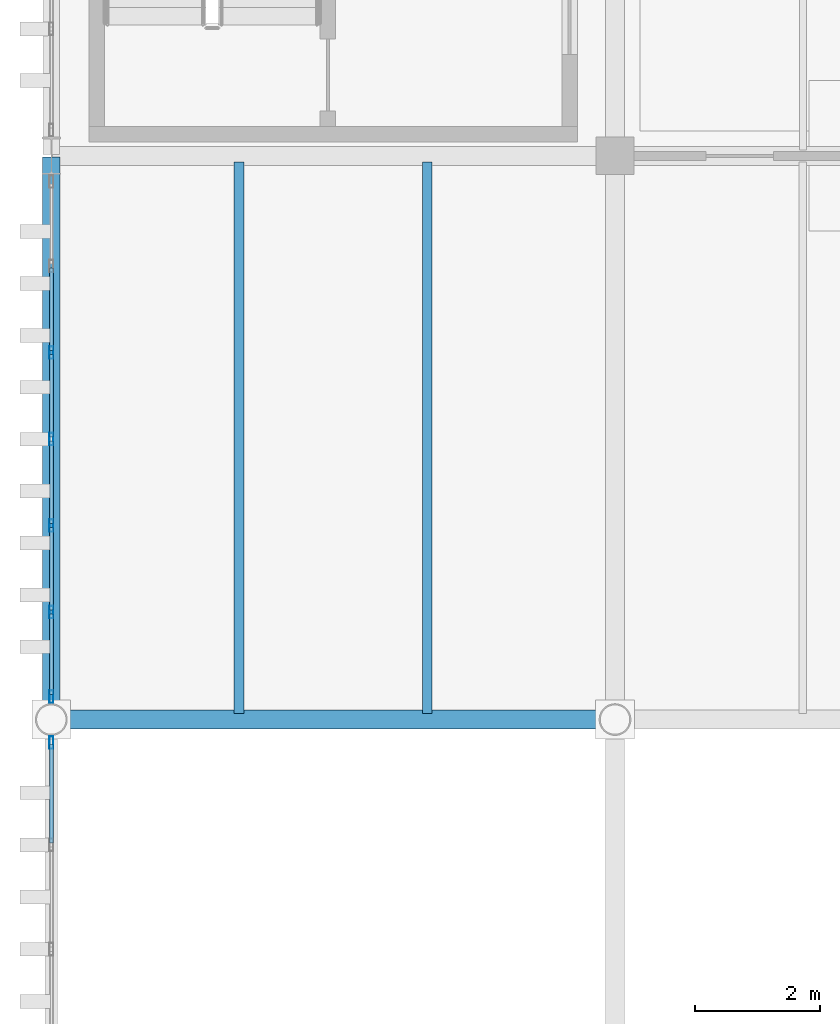
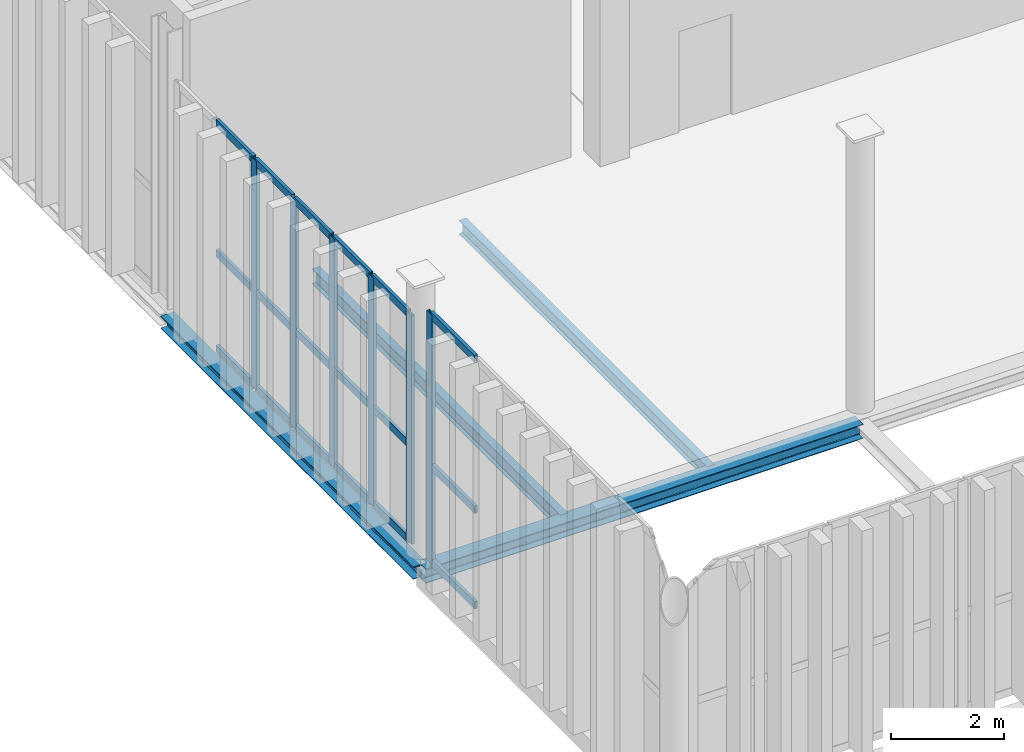
# One storey, part 28 of 211: 24 members, 4 beams, 2 elements without a shape of their own.
"""IFC4 building model written with IfcOpenShell, lengths in metres."""

from ifc_helpers import new_model, si_unit, direction, frame, origin, origin_2d, place, context, subcontext, project, spatial, hollow_rectangle, i_section, extrude, material, layer, layer_set, material_profile, profile_set, type_object, element, aggregate, save


model = new_model("IFC4")

# Units and contexts
model_context = context("Model", 3, precision=1e-05, world=origin(), true_north=direction((0.0, 1.0)))
body_context = subcontext(model_context, "Body", "Model", "MODEL_VIEW")
ifc_project = project(units=[si_unit("LENGTHUNIT", "METRE"), si_unit("AREAUNIT", "SQUARE_METRE"), si_unit("VOLUMEUNIT", "CUBIC_METRE"), si_unit("PLANEANGLEUNIT", "RADIAN"), si_unit("MASSUNIT", "GRAM", prefix="KILO")], contexts=[model_context])

# Site, building, storey
site_placement = place(None, origin())
site = spatial("IfcSite", under=ifc_project, at=site_placement, CompositionType="ELEMENT")
building_placement = place(site_placement, origin())
building = spatial("IfcBuilding", under=site, at=building_placement, Name="Barlavento Convention Centre", CompositionType="ELEMENT")
storey_placement = place(building_placement, frame((0.0, 0.0, 6.0)))
storey = spatial("IfcBuildingStorey", under=building, at=storey_placement, Name="L01", CompositionType="ELEMENT", Elevation=6.0)

# Curtain wall, members
ifc_material_1 = material(Name="Powder-coated aluminium and Low-E glass", Category="aluminium")
ifc_layer = layer(ifc_material_1, 0.18505859375)
ifc_layer_set = layer_set([ifc_layer], Name="ARC-CW-CONG-L01")
curtain_wall_type = type_object("IfcCurtainWallType", Name="ARC-CW-CONG-L01", PredefinedType="NOTDEFINED", material=ifc_layer_set)
curtain_wall_1_placement = place(storey_placement, origin())
curtain_wall_1 = element("IfcCurtainWall", 1, at=curtain_wall_1_placement, inside=storey, type_object=curtain_wall_type, Name="L01 unitised curtain wall CW01", PredefinedType="NOTDEFINED")
ifc_material_2 = material(Name="Powder-coated aluminium", Category="aluminium")
ifc_material_profile_1 = material_profile(ifc_material_2, hollow_rectangle(XDim=0.06494140625, YDim=0.199951171875, WallThickness=0.0048828125, at=origin_2d()), Name="AL-MULL 65x200x5")
ifc_profile_set_1 = profile_set([ifc_material_profile_1], Name="Powder-coated aluminium")
member_type_1 = type_object("IfcMemberType", Name="ARC-CWM-65X200", PredefinedType="MULLION", material=ifc_profile_set_1)
member_1_placement = place(storey_placement, frame((0.0, 9.366455078125, 0.0), z_axis=(0.0, 0.0, 1.0), x_axis=(-1.0, 0.0, 0.0)))
member_1 = element("IfcMember", 2, at=member_1_placement, type_object=member_type_1, Name="CW01 mullion 1", PredefinedType="MULLION", context=body_context, shape_type="SweptSolid", body=[
    extrude(hollow_rectangle(XDim=0.06494140625, YDim=0.199951171875, WallThickness=0.0048828125, at=origin_2d()), origin(), (0.0, 0.0, 1.0), 4.949951171875),
])
member_2_placement = place(storey_placement, frame((0.0, 10.715087890625, 0.0), z_axis=(0.0, 0.0, 1.0), x_axis=(-1.0, 0.0, 0.0)))
member_2 = element("IfcMember", 3, at=member_2_placement, type_object=member_type_1, Name="CW01 mullion 2", PredefinedType="MULLION", context=body_context, shape_type="SweptSolid", body=[
    extrude(hollow_rectangle(XDim=0.06494140625, YDim=0.199951171875, WallThickness=0.0048828125, at=origin_2d()), origin(), (0.0, 0.0, 1.0), 4.949951171875),
])
member_3_placement = place(storey_placement, frame((0.0, 12.095947265625, 0.0), z_axis=(0.0, 0.0, 1.0), x_axis=(-1.0, 0.0, 0.0)))
member_3 = element("IfcMember", 4, at=member_3_placement, type_object=member_type_1, Name="CW01 mullion 3", PredefinedType="MULLION", context=body_context, shape_type="SweptSolid", body=[
    extrude(hollow_rectangle(XDim=0.06494140625, YDim=0.199951171875, WallThickness=0.0048828125, at=origin_2d()), origin(), (0.0, 0.0, 1.0), 4.949951171875),
])
member_4_placement = place(storey_placement, frame((0.0, 13.47705078125, 0.0), z_axis=(0.0, 0.0, 1.0), x_axis=(-1.0, 0.0, 0.0)))
member_4 = element("IfcMember", 5, at=member_4_placement, type_object=member_type_1, Name="CW01 mullion 4", PredefinedType="MULLION", context=body_context, shape_type="SweptSolid", body=[
    extrude(hollow_rectangle(XDim=0.06494140625, YDim=0.199951171875, WallThickness=0.0048828125, at=origin_2d()), origin(), (0.0, 0.0, 1.0), 4.949951171875),
])
member_5_placement = place(storey_placement, frame((0.0, 14.85791015625, 0.0), z_axis=(0.0, 0.0, 1.0), x_axis=(-1.0, 0.0, 0.0)))
member_5 = element("IfcMember", 6, at=member_5_placement, type_object=member_type_1, Name="CW01 mullion 5", PredefinedType="MULLION", context=body_context, shape_type="SweptSolid", body=[
    extrude(hollow_rectangle(XDim=0.06494140625, YDim=0.199951171875, WallThickness=0.0048828125, at=origin_2d()), origin(), (0.0, 0.0, 1.0), 4.949951171875),
])

# Curtain wall, member
curtain_wall_2_placement = place(storey_placement, origin())
curtain_wall_2 = element("IfcCurtainWall", 7, at=curtain_wall_2_placement, inside=storey, type_object=curtain_wall_type, Name="L01 unitised curtain wall CW01", PredefinedType="NOTDEFINED")
member_6_placement = place(storey_placement, frame((0.0, 8.633544921875, 0.0), z_axis=(0.0, 0.0, 1.0), x_axis=(-1.0, 0.0, 0.0)))
member_6 = element("IfcMember", 8, at=member_6_placement, type_object=member_type_1, Name="CW01 mullion 6", PredefinedType="MULLION", context=body_context, shape_type="SweptSolid", body=[
    extrude(hollow_rectangle(XDim=0.06494140625, YDim=0.199951171875, WallThickness=0.0048828125, at=origin_2d()), origin(), (0.0, 0.0, 1.0), 5.39990234375),
])

# Member
ifc_material_profile_2 = material_profile(ifc_material_2, hollow_rectangle(XDim=0.06494140625, YDim=0.159912109375, WallThickness=0.0048828125, at=origin_2d()), Name="AL-TRAN 65x160x5")
ifc_profile_set_2 = profile_set([ifc_material_profile_2], Name="Powder-coated aluminium")
member_type_2 = type_object("IfcMemberType", Name="ARC-CWT-65X160", PredefinedType="USERDEFINED", material=ifc_profile_set_2)
member_7_placement = place(storey_placement, frame((0.0, 9.39892578125, 0.032470703125), z_axis=(0.0, 1.0, 0.0), x_axis=(-1.0, 0.0, 0.0)))
member_7 = element("IfcMember", 9, at=member_7_placement, type_object=member_type_2, Name="CW01 transom 1.1", ObjectType="TRANSOM", PredefinedType="USERDEFINED", context=body_context, shape_type="SweptSolid", body=[
    extrude(hollow_rectangle(XDim=0.06494140625, YDim=0.159912109375, WallThickness=0.0048828125, at=origin_2d()), origin(), (0.0, 0.0, 1.0), 1.28369140625),
])

member_8_placement = place(storey_placement, frame((0.0, 9.39892578125, 2.10009765625), z_axis=(0.0, 1.0, 0.0), x_axis=(-1.0, 0.0, 0.0)))
member_8 = element("IfcMember", 10, at=member_8_placement, type_object=member_type_2, Name="CW01 transom 1.2", ObjectType="TRANSOM", PredefinedType="USERDEFINED", context=body_context, shape_type="SweptSolid", body=[
    extrude(hollow_rectangle(XDim=0.06494140625, YDim=0.159912109375, WallThickness=0.0048828125, at=origin_2d()), origin(), (0.0, 0.0, 1.0), 1.28369140625),
])

member_9_placement = place(storey_placement, frame((0.0, 9.39892578125, 4.91748046875), z_axis=(0.0, 1.0, 0.0), x_axis=(-1.0, 0.0, 0.0)))
member_9 = element("IfcMember", 11, at=member_9_placement, type_object=member_type_2, Name="CW01 transom 1.3", ObjectType="TRANSOM", PredefinedType="USERDEFINED", context=body_context, shape_type="SweptSolid", body=[
    extrude(hollow_rectangle(XDim=0.06494140625, YDim=0.159912109375, WallThickness=0.0048828125, at=origin_2d()), origin(), (0.0, 0.0, 1.0), 1.28369140625),
])

member_10_placement = place(storey_placement, frame((0.0, 10.74755859375, 0.032470703125), z_axis=(0.0, 1.0, 0.0), x_axis=(-1.0, 0.0, 0.0)))
member_10 = element("IfcMember", 12, at=member_10_placement, type_object=member_type_2, Name="CW01 transom 2.1", ObjectType="TRANSOM", PredefinedType="USERDEFINED", context=body_context, shape_type="SweptSolid", body=[
    extrude(hollow_rectangle(XDim=0.06494140625, YDim=0.159912109375, WallThickness=0.0048828125, at=origin_2d()), origin(), (0.0, 0.0, 1.0), 1.31591796875),
])

member_11_placement = place(storey_placement, frame((0.0, 10.74755859375, 2.10009765625), z_axis=(0.0, 1.0, 0.0), x_axis=(-1.0, 0.0, 0.0)))
member_11 = element("IfcMember", 13, at=member_11_placement, type_object=member_type_2, Name="CW01 transom 2.2", ObjectType="TRANSOM", PredefinedType="USERDEFINED", context=body_context, shape_type="SweptSolid", body=[
    extrude(hollow_rectangle(XDim=0.06494140625, YDim=0.159912109375, WallThickness=0.0048828125, at=origin_2d()), origin(), (0.0, 0.0, 1.0), 1.31591796875),
])

member_12_placement = place(storey_placement, frame((0.0, 10.74755859375, 4.91748046875), z_axis=(0.0, 1.0, 0.0), x_axis=(-1.0, 0.0, 0.0)))
member_12 = element("IfcMember", 14, at=member_12_placement, type_object=member_type_2, Name="CW01 transom 2.3", ObjectType="TRANSOM", PredefinedType="USERDEFINED", context=body_context, shape_type="SweptSolid", body=[
    extrude(hollow_rectangle(XDim=0.06494140625, YDim=0.159912109375, WallThickness=0.0048828125, at=origin_2d()), origin(), (0.0, 0.0, 1.0), 1.31591796875),
])

member_13_placement = place(storey_placement, frame((0.0, 12.12841796875, 0.032470703125), z_axis=(0.0, 1.0, 0.0), x_axis=(-1.0, 0.0, 0.0)))
member_13 = element("IfcMember", 15, at=member_13_placement, type_object=member_type_2, Name="CW01 transom 3.1", ObjectType="TRANSOM", PredefinedType="USERDEFINED", context=body_context, shape_type="SweptSolid", body=[
    extrude(hollow_rectangle(XDim=0.06494140625, YDim=0.159912109375, WallThickness=0.0048828125, at=origin_2d()), origin(), (0.0, 0.0, 1.0), 1.316162109375),
])

member_14_placement = place(storey_placement, frame((0.0, 12.12841796875, 2.10009765625), z_axis=(0.0, 1.0, 0.0), x_axis=(-1.0, 0.0, 0.0)))
member_14 = element("IfcMember", 16, at=member_14_placement, type_object=member_type_2, Name="CW01 transom 3.2", ObjectType="TRANSOM", PredefinedType="USERDEFINED", context=body_context, shape_type="SweptSolid", body=[
    extrude(hollow_rectangle(XDim=0.06494140625, YDim=0.159912109375, WallThickness=0.0048828125, at=origin_2d()), origin(), (0.0, 0.0, 1.0), 1.316162109375),
])

member_15_placement = place(storey_placement, frame((0.0, 12.12841796875, 4.91748046875), z_axis=(0.0, 1.0, 0.0), x_axis=(-1.0, 0.0, 0.0)))
member_15 = element("IfcMember", 17, at=member_15_placement, type_object=member_type_2, Name="CW01 transom 3.3", ObjectType="TRANSOM", PredefinedType="USERDEFINED", context=body_context, shape_type="SweptSolid", body=[
    extrude(hollow_rectangle(XDim=0.06494140625, YDim=0.159912109375, WallThickness=0.0048828125, at=origin_2d()), origin(), (0.0, 0.0, 1.0), 1.316162109375),
])

member_16_placement = place(storey_placement, frame((0.0, 13.509521484375, 0.032470703125), z_axis=(0.0, 1.0, 0.0), x_axis=(-1.0, 0.0, 0.0)))
member_16 = element("IfcMember", 18, at=member_16_placement, type_object=member_type_2, Name="CW01 transom 4.1", ObjectType="TRANSOM", PredefinedType="USERDEFINED", context=body_context, shape_type="SweptSolid", body=[
    extrude(hollow_rectangle(XDim=0.06494140625, YDim=0.159912109375, WallThickness=0.0048828125, at=origin_2d()), origin(), (0.0, 0.0, 1.0), 1.31591796875),
])

member_17_placement = place(storey_placement, frame((0.0, 13.509521484375, 2.10009765625), z_axis=(0.0, 1.0, 0.0), x_axis=(-1.0, 0.0, 0.0)))
member_17 = element("IfcMember", 19, at=member_17_placement, type_object=member_type_2, Name="CW01 transom 4.2", ObjectType="TRANSOM", PredefinedType="USERDEFINED", context=body_context, shape_type="SweptSolid", body=[
    extrude(hollow_rectangle(XDim=0.06494140625, YDim=0.159912109375, WallThickness=0.0048828125, at=origin_2d()), origin(), (0.0, 0.0, 1.0), 1.31591796875),
])

member_18_placement = place(storey_placement, frame((0.0, 13.509521484375, 4.91748046875), z_axis=(0.0, 1.0, 0.0), x_axis=(-1.0, 0.0, 0.0)))
member_18 = element("IfcMember", 20, at=member_18_placement, type_object=member_type_2, Name="CW01 transom 4.3", ObjectType="TRANSOM", PredefinedType="USERDEFINED", context=body_context, shape_type="SweptSolid", body=[
    extrude(hollow_rectangle(XDim=0.06494140625, YDim=0.159912109375, WallThickness=0.0048828125, at=origin_2d()), origin(), (0.0, 0.0, 1.0), 1.31591796875),
])

member_19_placement = place(storey_placement, frame((0.0, 14.890380859375, 0.032470703125), z_axis=(0.0, 1.0, 0.0), x_axis=(-1.0, 0.0, 0.0)))
member_19 = element("IfcMember", 21, at=member_19_placement, type_object=member_type_2, Name="CW01 transom 5.1", ObjectType="TRANSOM", PredefinedType="USERDEFINED", context=body_context, shape_type="SweptSolid", body=[
    extrude(hollow_rectangle(XDim=0.06494140625, YDim=0.159912109375, WallThickness=0.0048828125, at=origin_2d()), origin(), (0.0, 0.0, 1.0), 1.316162109375),
])

member_20_placement = place(storey_placement, frame((0.0, 14.890380859375, 2.10009765625), z_axis=(0.0, 1.0, 0.0), x_axis=(-1.0, 0.0, 0.0)))
member_20 = element("IfcMember", 22, at=member_20_placement, type_object=member_type_2, Name="CW01 transom 5.2", ObjectType="TRANSOM", PredefinedType="USERDEFINED", context=body_context, shape_type="SweptSolid", body=[
    extrude(hollow_rectangle(XDim=0.06494140625, YDim=0.159912109375, WallThickness=0.0048828125, at=origin_2d()), origin(), (0.0, 0.0, 1.0), 1.316162109375),
])

member_21_placement = place(storey_placement, frame((0.0, 14.890380859375, 4.91748046875), z_axis=(0.0, 1.0, 0.0), x_axis=(-1.0, 0.0, 0.0)))
member_21 = element("IfcMember", 23, at=member_21_placement, type_object=member_type_2, Name="CW01 transom 5.3", ObjectType="TRANSOM", PredefinedType="USERDEFINED", context=body_context, shape_type="SweptSolid", body=[
    extrude(hollow_rectangle(XDim=0.06494140625, YDim=0.159912109375, WallThickness=0.0048828125, at=origin_2d()), origin(), (0.0, 0.0, 1.0), 1.316162109375),
])

aggregate(curtain_wall_1, [member_1, member_2, member_3, member_4, member_5, member_7, member_8, member_9, member_10, member_11, member_12, member_13, member_14, member_15, member_16, member_17, member_18, member_19, member_20, member_21])

member_22_placement = place(storey_placement, frame((0.0, 7.031982421875, 0.032470703125), z_axis=(0.0, 1.0, 0.0), x_axis=(-1.0, 0.0, 0.0)))
member_22 = element("IfcMember", 24, at=member_22_placement, type_object=member_type_2, Name="CW01 transom 5.1", ObjectType="TRANSOM", PredefinedType="USERDEFINED", context=body_context, shape_type="SweptSolid", body=[
    extrude(hollow_rectangle(XDim=0.06494140625, YDim=0.159912109375, WallThickness=0.0048828125, at=origin_2d()), origin(), (0.0, 0.0, 1.0), 1.569091796875),
])

member_23_placement = place(storey_placement, frame((0.0, 7.031982421875, 2.10009765625), z_axis=(0.0, 1.0, 0.0), x_axis=(-1.0, 0.0, 0.0)))
member_23 = element("IfcMember", 25, at=member_23_placement, type_object=member_type_2, Name="CW01 transom 5.2", ObjectType="TRANSOM", PredefinedType="USERDEFINED", context=body_context, shape_type="SweptSolid", body=[
    extrude(hollow_rectangle(XDim=0.06494140625, YDim=0.159912109375, WallThickness=0.0048828125, at=origin_2d()), origin(), (0.0, 0.0, 1.0), 1.569091796875),
])

member_24_placement = place(storey_placement, frame((0.0, 7.031982421875, 5.367431640625), z_axis=(0.0, 1.0, 0.0), x_axis=(-1.0, 0.0, 0.0)))
member_24 = element("IfcMember", 26, at=member_24_placement, type_object=member_type_2, Name="CW01 transom 5.3", ObjectType="TRANSOM", PredefinedType="USERDEFINED", context=body_context, shape_type="SweptSolid", body=[
    extrude(hollow_rectangle(XDim=0.06494140625, YDim=0.159912109375, WallThickness=0.0048828125, at=origin_2d()), origin(), (0.0, 0.0, 1.0), 1.569091796875),
])

aggregate(curtain_wall_2, [member_6, member_22, member_23, member_24])

# Beams
ifc_material_3 = material(Name="Steel S355", Category="steel")
ifc_material_profile_3 = material_profile(ifc_material_3, i_section(OverallWidth=0.14990234375, OverallDepth=0.300048828125, WebThickness=0.007080078125, FlangeThickness=0.0107421875, FilletRadius=0.014892578125, at=origin_2d()), Name="IPE 300")
ifc_profile_set_3 = profile_set([ifc_material_profile_3], Name="Steel S355")
beam_type_1 = type_object("IfcBeamType", Name="STR-BM-JST-IPE300", PredefinedType="JOIST", material=ifc_profile_set_3)
beam_1_placement = place(storey_placement, frame((6.0, 9.094970703125, -0.449951171875), z_axis=(0.0, 1.0, 0.0), x_axis=(-1.0, 0.0, 0.0)))
element("IfcBeam", 27, at=beam_1_placement, inside=storey, type_object=beam_type_1, Name="L01 composite floor joist SJ07", PredefinedType="JOIST", context=body_context, shape_type="SweptSolid", body=[
    extrude(i_section(OverallWidth=0.14990234375, OverallDepth=0.300048828125, WebThickness=0.007080078125, FlangeThickness=0.0107421875, FilletRadius=0.014892578125, at=origin_2d()), origin(), (0.0, 0.0, 1.0), 8.81005859375),
])
ifc_material_profile_4 = material_profile(ifc_material_3, i_section(OverallWidth=0.159912109375, OverallDepth=0.330078125, WebThickness=0.007568359375, FlangeThickness=0.011474609375, FilletRadius=0.01806640625, at=origin_2d()), Name="IPE 330")
ifc_profile_set_4 = profile_set([ifc_material_profile_4], Name="Steel S355")
beam_type_2 = type_object("IfcBeamType", Name="STR-BM-JST-IPE330", PredefinedType="JOIST", material=ifc_profile_set_4)
beam_2_placement = place(storey_placement, frame((3.0, 9.094970703125, -0.465087890625), z_axis=(0.0, 1.0, 0.0), x_axis=(-1.0, 0.0, 0.0)))
element("IfcBeam", 28, at=beam_2_placement, inside=storey, type_object=beam_type_2, Name="L01 composite floor joist SJ06", PredefinedType="JOIST", context=body_context, shape_type="SweptSolid", body=[
    extrude(i_section(OverallWidth=0.159912109375, OverallDepth=0.330078125, WebThickness=0.007568359375, FlangeThickness=0.011474609375, FilletRadius=0.01806640625, at=origin_2d()), origin(), (0.0, 0.0, 1.0), 8.81005859375),
])
ifc_material_profile_5 = material_profile(ifc_material_3, i_section(OverallWidth=0.280029296875, OverallDepth=0.27001953125, WebThickness=0.008056640625, FlangeThickness=0.012939453125, FilletRadius=0.02392578125, at=origin_2d()), Name="HEA 280")
ifc_profile_set_5 = profile_set([ifc_material_profile_5], Name="Steel S355")
beam_type_3 = type_object("IfcBeamType", Name="STR-BM-SPN-HEA280", PredefinedType="SPANDREL", material=ifc_profile_set_5)
beam_3_placement = place(storey_placement, frame((0.0, 9.02001953125, -0.43505859375), z_axis=(0.0, 1.0, 0.0), x_axis=(-1.0, 0.0, 0.0)))
element("IfcBeam", 29, at=beam_3_placement, inside=storey, type_object=beam_type_3, Name="L01 grid girder SP03", PredefinedType="SPANDREL", context=body_context, shape_type="SweptSolid", body=[
    extrude(i_section(OverallWidth=0.280029296875, OverallDepth=0.27001953125, WebThickness=0.008056640625, FlangeThickness=0.012939453125, FilletRadius=0.02392578125, at=origin_2d()), origin(), (0.0, 0.0, 1.0), 8.9599609375),
])
ifc_material_profile_6 = material_profile(ifc_material_3, i_section(OverallWidth=0.300048828125, OverallDepth=0.31005859375, WebThickness=0.009033203125, FlangeThickness=0.015380859375, FilletRadius=0.027099609375, at=origin_2d()), Name="HEA 320")
ifc_profile_set_6 = profile_set([ifc_material_profile_6], Name="Steel S355")
beam_type_4 = type_object("IfcBeamType", Name="STR-BM-SPN-HEA320", PredefinedType="SPANDREL", material=ifc_profile_set_6)
beam_4_placement = place(storey_placement, frame((0.02001953125, 9.0, -0.455078125), z_axis=(1.0, 0.0, 0.0), x_axis=(0.0, 1.0, 0.0)))
element("IfcBeam", 30, at=beam_4_placement, inside=storey, type_object=beam_type_4, Name="L01 primary girder SP01", PredefinedType="SPANDREL", context=body_context, shape_type="SweptSolid", body=[
    extrude(i_section(OverallWidth=0.300048828125, OverallDepth=0.31005859375, WebThickness=0.009033203125, FlangeThickness=0.015380859375, FilletRadius=0.027099609375, at=origin_2d()), origin(), (0.0, 0.0, 1.0), 8.9599609375),
])

save(model, "model.ifc")
